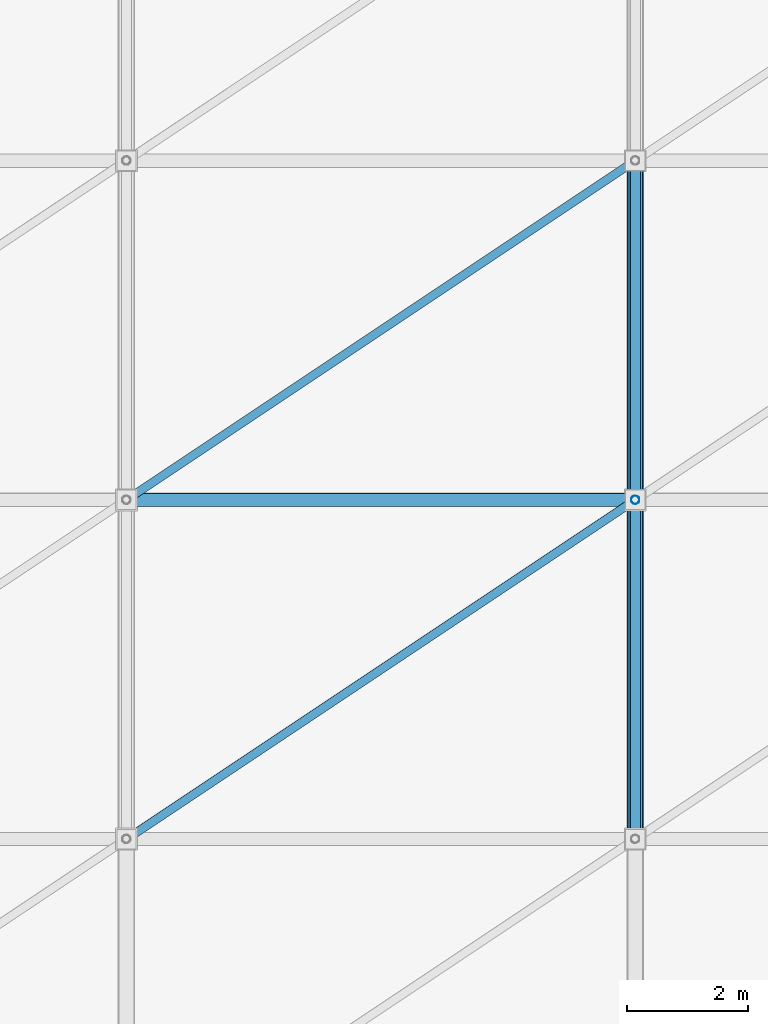
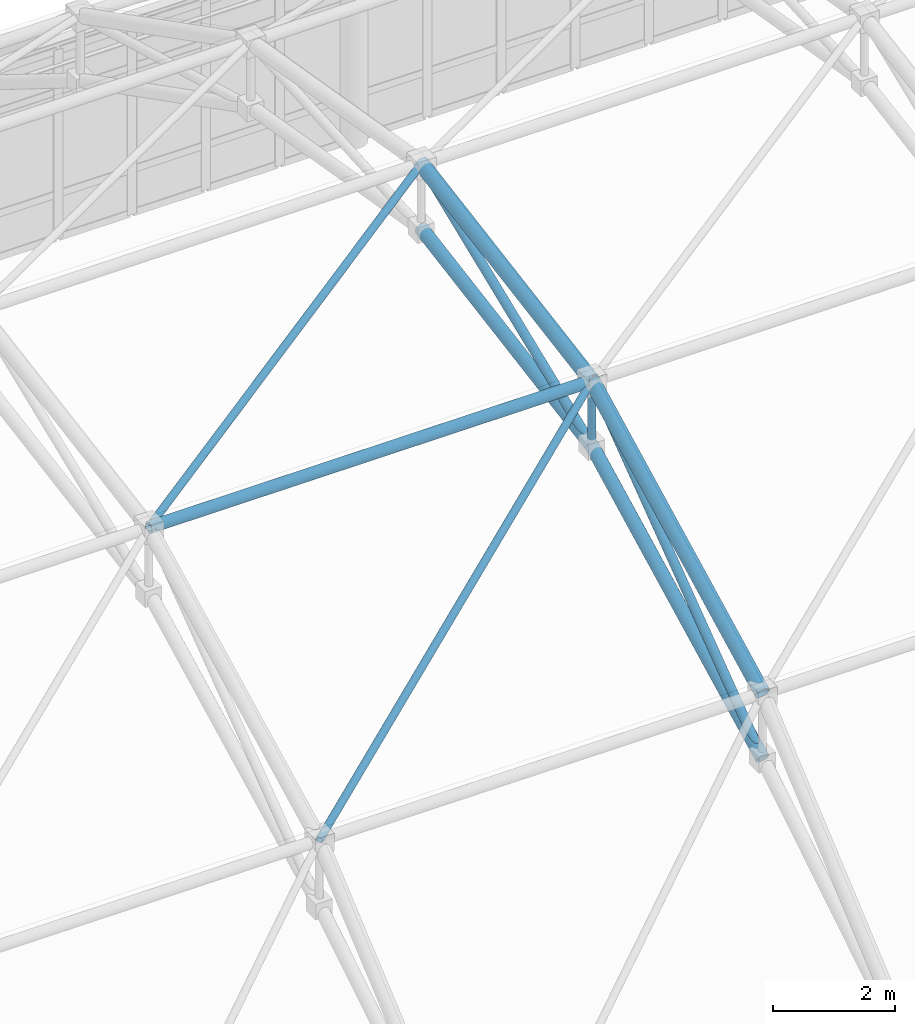
# One storey, part 72 of 184: 10 members.
"""IFC4 building model written with IfcOpenShell, lengths in metres."""

from ifc_helpers import new_model, si_unit, direction, frame, origin, origin_2d, place, context, subcontext, project, spatial, hollow_circle, extrude, material, material_profile, profile_set, type_object, element, save


model = new_model("IFC4")

# Units and contexts
model_context = context("Model", 3, precision=1e-05, world=origin(), true_north=direction((0.0, 1.0)))
body_context = subcontext(model_context, "Body", "Model", "MODEL_VIEW")
ifc_project = project(units=[si_unit("LENGTHUNIT", "METRE"), si_unit("AREAUNIT", "SQUARE_METRE"), si_unit("VOLUMEUNIT", "CUBIC_METRE"), si_unit("PLANEANGLEUNIT", "RADIAN"), si_unit("MASSUNIT", "GRAM", prefix="KILO")], contexts=[model_context])

# Site, building, storey
site_placement = place(None, origin())
site = spatial("IfcSite", under=ifc_project, at=site_placement, CompositionType="ELEMENT")
building_placement = place(site_placement, origin())
building = spatial("IfcBuilding", under=site, at=building_placement, Name="Qalvenar Corner Mobility Hub", CompositionType="ELEMENT")
storey_placement = place(building_placement, frame((0.0, 0.0, 9.0)))
storey = spatial("IfcBuildingStorey", under=building, at=storey_placement, Name="L02", CompositionType="ELEMENT", Elevation=9.0)

# Members
ifc_material = material(Name="Steel S355", Category="steel")
ifc_material_profile_1 = material_profile(ifc_material, hollow_circle(Radius=0.109619140625, WallThickness=0.008056640625, at=origin_2d()), Name="CHS219.1x8")
ifc_profile_set_1 = profile_set([ifc_material_profile_1], Name="Steel S355")
member_type_1 = type_object("IfcMemberType", Name="SF-CHD219", PredefinedType="CHORD", material=ifc_profile_set_1)
member_1_placement = place(storey_placement, frame((75.60009765625, 11.199951171875, 11.704345703125), z_axis=(1.0, 0.0, 0.0), x_axis=(0.0, 1.0, 0.0)))
element("IfcMember", 1, at=member_1_placement, inside=storey, type_object=member_type_1, Name="Space Frame Longitudinal Chord SFL-0203", PredefinedType="CHORD", context=body_context, shape_type="SweptSolid", body=[
    extrude(hollow_circle(Radius=0.109619140625, WallThickness=0.008056640625, at=origin_2d()), origin(), (0.0, 0.0, 1.0), 8.39990234375),
])
ifc_material_profile_2 = material_profile(ifc_material, hollow_circle(Radius=0.122314453125, WallThickness=0.0087890625, at=origin_2d()), Name="CHS244.5x8.8")
ifc_profile_set_2 = profile_set([ifc_material_profile_2], Name="Steel S355")
member_type_2 = type_object("IfcMemberType", Name="SF-CHD244", PredefinedType="CHORD", material=ifc_profile_set_2)
member_2_placement = place(storey_placement, frame((84.0, 5.60009765625, 7.537841796875), z_axis=(0.0, 0.890157020212, 0.455653903052), x_axis=(-1.0, 0.0, 0.0)))
element("IfcMember", 2, at=member_2_placement, inside=storey, type_object=member_type_2, Name="Space Frame Bottom Chord SFBC-0088", PredefinedType="CHORD", context=body_context, shape_type="SweptSolid", body=[
    extrude(hollow_circle(Radius=0.122314453125, WallThickness=0.0087890625, at=origin_2d()), origin(), (0.0, 0.0, 1.0), 6.290771484375),
])
member_3_placement = place(storey_placement, frame((84.0, 11.199951171875, 10.404296875), z_axis=(0.0, 0.985745292256, 0.168244520847), x_axis=(-1.0, 0.0, 0.0)))
element("IfcMember", 3, at=member_3_placement, inside=storey, type_object=member_type_2, Name="Space Frame Bottom Chord SFBC-0091", PredefinedType="CHORD", context=body_context, shape_type="SweptSolid", body=[
    extrude(hollow_circle(Radius=0.122314453125, WallThickness=0.0087890625, at=origin_2d()), origin(), (0.0, 0.0, 1.0), 5.68115234375),
])
ifc_material_profile_3 = material_profile(ifc_material, hollow_circle(Radius=0.136474609375, WallThickness=0.010009765625, at=origin_2d()), Name="CHS273x10")
ifc_profile_set_3 = profile_set([ifc_material_profile_3], Name="Steel S355")
member_type_3 = type_object("IfcMemberType", Name="SF-CHD273", PredefinedType="CHORD", material=ifc_profile_set_3)
member_4_placement = place(storey_placement, frame((84.0, 5.60009765625, 8.837890625), z_axis=(0.0, 0.890157020212, 0.455653903052), x_axis=(-1.0, 0.0, 0.0)))
element("IfcMember", 4, at=member_4_placement, inside=storey, type_object=member_type_3, Name="Space Frame Top Chord SFTC-0087", PredefinedType="CHORD", context=body_context, shape_type="SweptSolid", body=[
    extrude(hollow_circle(Radius=0.136474609375, WallThickness=0.010009765625, at=origin_2d()), origin(), (0.0, 0.0, 1.0), 6.290771484375),
])
member_5_placement = place(storey_placement, frame((84.0, 11.199951171875, 11.704345703125), z_axis=(0.0, 0.985752418555, 0.1682027625), x_axis=(-1.0, 0.0, 0.0)))
element("IfcMember", 5, at=member_5_placement, inside=storey, type_object=member_type_3, Name="Space Frame Top Chord SFTC-0090", PredefinedType="CHORD", context=body_context, shape_type="SweptSolid", body=[
    extrude(hollow_circle(Radius=0.136474609375, WallThickness=0.010009765625, at=origin_2d()), origin(), (0.0, 0.0, 1.0), 5.68115234375),
])
ifc_material_profile_4 = material_profile(ifc_material, hollow_circle(Radius=0.06982421875, WallThickness=0.0048828125, at=origin_2d()), Name="CHS139.7x5")
ifc_profile_set_4 = profile_set([ifc_material_profile_4], Name="Steel S355")
member_type_4 = type_object("IfcMemberType", Name="SF-STR139", PredefinedType="STRUT", material=ifc_profile_set_4)
member_6_placement = place(storey_placement, frame((84.0, 11.199951171875, 10.404296875), z_axis=(0.0, 0.0, 1.0), x_axis=(1.0, 0.0, 0.0)))
element("IfcMember", 6, at=member_6_placement, inside=storey, type_object=member_type_4, Name="Space Frame King Strut SFV-0102", PredefinedType="STRUT", context=body_context, shape_type="SweptSolid", body=[
    extrude(hollow_circle(Radius=0.06982421875, WallThickness=0.0048828125, at=origin_2d()), origin(), (0.0, 0.0, 1.0), 1.300048828125),
])
member_7_placement = place(storey_placement, frame((75.60009765625, 5.60009765625, 8.837890625), z_axis=(0.800414492238, 0.53360190689, 0.273140340445), x_axis=(-0.554694615428, 0.832054014842, 0.0)))
element("IfcMember", 7, at=member_7_placement, inside=storey, type_object=member_type_4, Name="Space Frame Plan Strut SFP-0208", PredefinedType="STRUT", context=body_context, shape_type="SweptSolid", body=[
    extrude(hollow_circle(Radius=0.06982421875, WallThickness=0.0048828125, at=origin_2d()), origin(), (0.0, 0.0, 1.0), 10.494384765625),
])
member_8_placement = place(storey_placement, frame((75.60009765625, 11.199951171875, 11.704345703125), z_axis=(0.828340531995, 0.552243071642, 0.094231379475), x_axis=(-0.554711357594, 0.832042853317, 0.0)))
element("IfcMember", 8, at=member_8_placement, inside=storey, type_object=member_type_4, Name="Space Frame Plan Strut SFP-0209", PredefinedType="STRUT", context=body_context, shape_type="SweptSolid", body=[
    extrude(hollow_circle(Radius=0.06982421875, WallThickness=0.0048828125, at=origin_2d()), origin(), (0.0, 0.0, 1.0), 10.140625),
])
ifc_material_profile_5 = material_profile(ifc_material, hollow_circle(Radius=0.084228515625, WallThickness=0.00634765625, at=origin_2d()), Name="CHS168.3x6.3")
ifc_profile_set_5 = profile_set([ifc_material_profile_5], Name="Steel S355")
member_type_5 = type_object("IfcMemberType", Name="SF-STR168", PredefinedType="STRUT", material=ifc_profile_set_5)
member_9_placement = place(storey_placement, frame((84.0, 5.60009765625, 7.537841796875), z_axis=(0.0, 0.802290097952, 0.596934333682), x_axis=(-1.0, 0.0, 0.0)))
element("IfcMember", 9, at=member_9_placement, inside=storey, type_object=member_type_5, Name="Space Frame Web Strut SFD-0089", PredefinedType="STRUT", context=body_context, shape_type="SweptSolid", body=[
    extrude(hollow_circle(Radius=0.084228515625, WallThickness=0.00634765625, at=origin_2d()), origin(), (0.0, 0.0, 1.0), 6.979736328125),
])
member_10_placement = place(storey_placement, frame((84.0, 11.199951171875, 10.404296875), z_axis=(0.0, 0.927584374155, 0.37361374282), x_axis=(-1.0, 0.0, 0.0)))
element("IfcMember", 10, at=member_10_placement, inside=storey, type_object=member_type_5, Name="Space Frame Web Strut SFD-0092", PredefinedType="STRUT", context=body_context, shape_type="SweptSolid", body=[
    extrude(hollow_circle(Radius=0.084228515625, WallThickness=0.00634765625, at=origin_2d()), origin(), (0.0, 0.0, 1.0), 6.037353515625),
])

save(model, "model.ifc")
